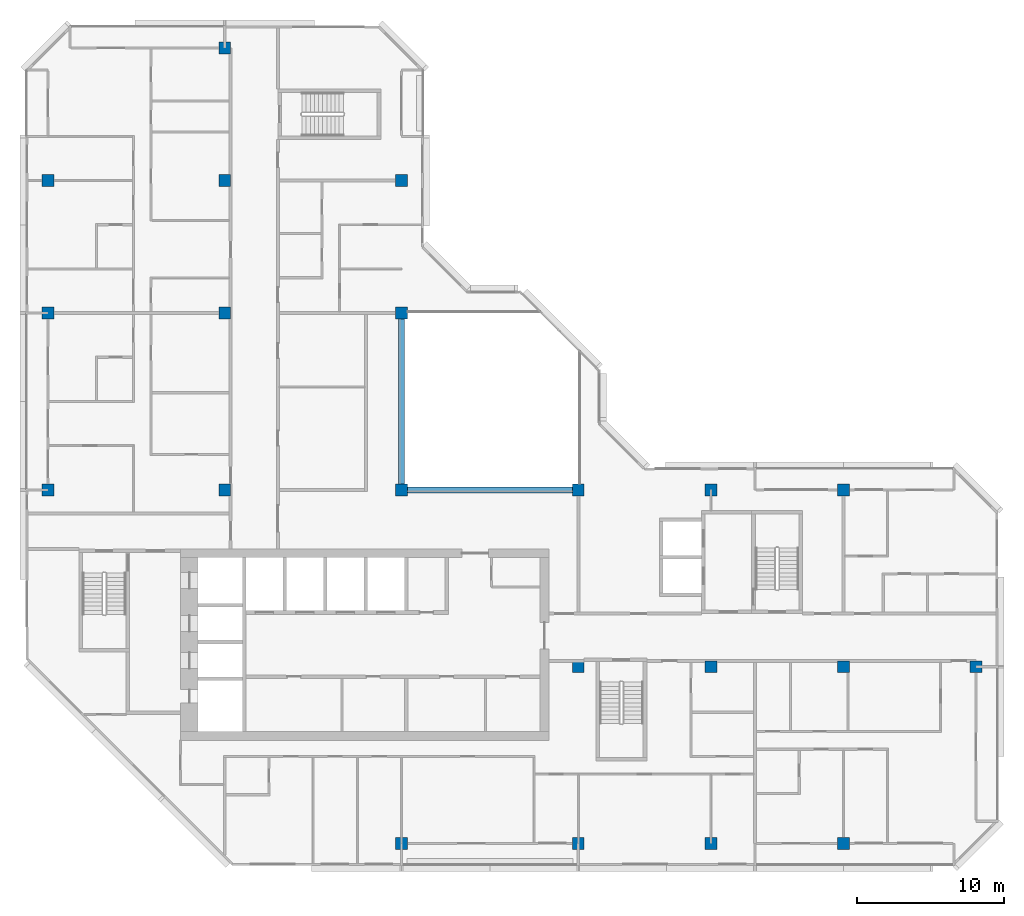
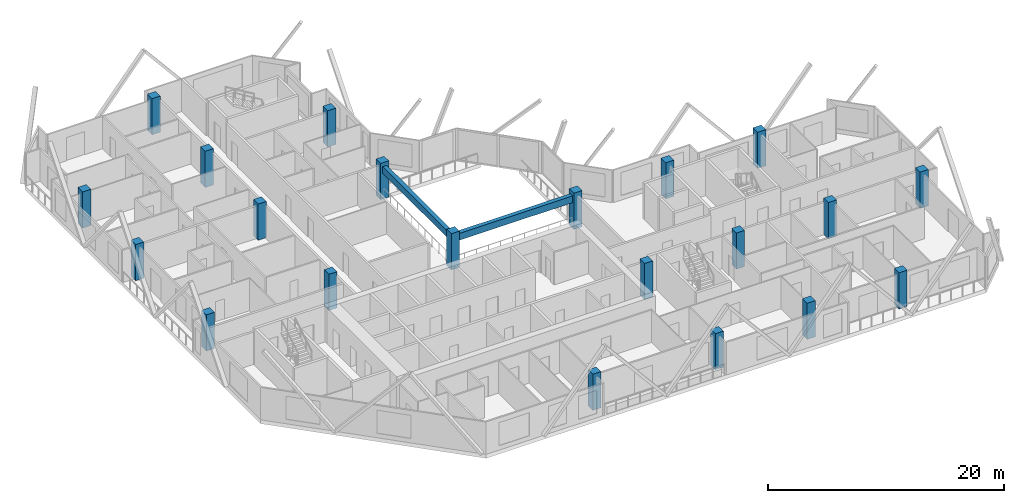
# One storey, part 1 of 13: 21 columns, 2 beams.
"""IFC4 building model written with IfcOpenShell, lengths in metres."""

from ifc_helpers import new_model, si_unit, direction, frame, origin, origin_2d, place, context, subcontext, project, spatial, rectangle, extrude, material, material_profile, profile_set, type_object, element, save


model = new_model("IFC4")

# Units and contexts
model_context = context("Model", 3, precision=1e-05, world=origin(), true_north=direction((0.0, 1.0)))
body_context = subcontext(model_context, "Body", "Model", "MODEL_VIEW")
ifc_project = project(units=[si_unit("LENGTHUNIT", "METRE"), si_unit("AREAUNIT", "SQUARE_METRE"), si_unit("VOLUMEUNIT", "CUBIC_METRE"), si_unit("PLANEANGLEUNIT", "RADIAN"), si_unit("MASSUNIT", "GRAM", prefix="KILO")], contexts=[model_context])

# Site, building, storey
site_placement = place(None, origin())
site = spatial("IfcSite", under=ifc_project, at=site_placement, CompositionType="ELEMENT")
building_placement = place(site_placement, origin())
building = spatial("IfcBuilding", under=site, at=building_placement, Name="Chenar Terraces", CompositionType="ELEMENT")
storey_placement = place(building_placement, frame((0.0, 0.0, 303.39990234375)))
storey = spatial("IfcBuildingStorey", under=building, at=storey_placement, Name="L71", CompositionType="ELEMENT", Elevation=303.39990234375)

# Columns
ifc_material_1 = material(Name="Concrete C50/60", Category="concrete")
ifc_material_profile_1 = material_profile(ifc_material_1, rectangle(XDim=0.800048828125, YDim=0.800048828125, at=origin_2d()), Name="C 800 x 800")
ifc_profile_set_1 = profile_set([ifc_material_profile_1], Name="Concrete C50/60")
column_type = type_object("IfcColumnType", Name="Column C 800 x 800 Concrete C50/60", PredefinedType="COLUMN", material=ifc_profile_set_1)
column_1_placement = place(storey_placement, frame((0.0, 24.0, 0.0), z_axis=(0.0, 0.0, 1.0), x_axis=(1.0, 0.0, 0.0)))
element("IfcColumn", 1, at=column_1_placement, inside=storey, type_object=column_type, Name="Column 5/G L71", PredefinedType="COLUMN", context=body_context, shape_type="SweptSolid", body=[
    extrude(rectangle(XDim=0.800048828125, YDim=0.800048828125, at=origin_2d()), origin(), (0.0, 0.0, 1.0), 3.75),
])
column_2_placement = place(storey_placement, frame((0.0, 36.0, 0.0), z_axis=(0.0, 0.0, 1.0), x_axis=(1.0, 0.0, 0.0)))
element("IfcColumn", 2, at=column_2_placement, inside=storey, type_object=column_type, Name="Column 5/H L71", PredefinedType="COLUMN", context=body_context, shape_type="SweptSolid", body=[
    extrude(rectangle(XDim=0.800048828125, YDim=0.800048828125, at=origin_2d()), origin(), (0.0, 0.0, 1.0), 3.75),
])
for number, where, z_axis, x_axis, name in (
    (3, (0.0, 45.0, 0.0), (0.0, 0.0, 1.0), (1.0, 0.0, 0.0), "Column 5/J L71"),
    (4, (12.0, 24.0, 0.0), (0.0, 0.0, 1.0), (1.0, 0.0, 0.0), "Column 6/G L71"),
    (5, (12.0, 36.0, 0.0), (0.0, 0.0, 1.0), (1.0, 0.0, 0.0), "Column 6/H L71"),
    (6, (12.0, 45.0, 0.0), (0.0, 0.0, 1.0), (1.0, 0.0, 0.0), "Column 6/J L71"),
    (7, (12.0, 54.0, 0.0), (0.0, 0.0, 1.0), (1.0, 0.0, 0.0), "Column 6/K L71"),
    (8, (24.0, 0.0, 0.0), (0.0, 0.0, 1.0), (1.0, 0.0, 0.0), "Column 7/E L71"),
    (9, (24.0, 24.0, 0.0), (0.0, 0.0, 1.0), (1.0, 0.0, 0.0), "Column 7/G L71"),
    (10, (24.0, 36.0, 0.0), (0.0, 0.0, 1.0), (1.0, 0.0, 0.0), "Column 7/H L71"),
    (11, (24.0, 45.0, 0.0), (0.0, 0.0, 1.0), (1.0, 0.0, 0.0), "Column 7/J L71"),
    (12, (36.0, 0.0, 0.0), (0.0, 0.0, 1.0), (1.0, 0.0, 0.0), "Column 8/E L71"),
    (13, (36.0, 12.0, 0.0), (0.0, 0.0, 1.0), (1.0, 0.0, 0.0), "Column 8/F L71"),
    (14, (36.0, 24.0, 0.0), (0.0, 0.0, 1.0), (1.0, 0.0, 0.0), "Column 8/G L71"),
    (15, (45.0, 0.0, 0.0), (0.0, 0.0, 1.0), (1.0, 0.0, 0.0), "Column 9/E L71"),
    (16, (45.0, 12.0, 0.0), (0.0, 0.0, 1.0), (1.0, 0.0, 0.0), "Column 9/F L71"),
    (17, (45.0, 24.0, 0.0), (0.0, 0.0, 1.0), (1.0, 0.0, 0.0), "Column 9/G L71"),
    (18, (54.0, 0.0, 0.0), (0.0, 0.0, 1.0), (1.0, 0.0, 0.0), "Column 10/E L71"),
    (19, (54.0, 12.0, 0.0), (0.0, 0.0, 1.0), (1.0, 0.0, 0.0), "Column 10/F L71"),
    (20, (54.0, 24.0, 0.0), (0.0, 0.0, 1.0), (1.0, 0.0, 0.0), "Column 10/G L71"),
    (21, (63.0, 12.0, 0.0), (0.0, 0.0, 1.0), (1.0, 0.0, 0.0), "Column 11/F L71"),
):
    element("IfcColumn", number, at=place(storey_placement, frame(where, z_axis=z_axis, x_axis=x_axis)), inside=storey, type_object=column_type, Name=name, PredefinedType="COLUMN", context=body_context, shape_type="SweptSolid", body=[
        extrude(rectangle(XDim=0.800048828125, YDim=0.800048828125, at=origin_2d()), origin(), (0.0, 0.0, 1.0), 3.75),
    ])

# Beams
ifc_material_2 = material(Name="Concrete C40/50", Category="concrete")
ifc_material_profile_2 = material_profile(ifc_material_2, rectangle(XDim=0.39990234375, YDim=0.699951171875, at=origin_2d()), Name="RC 400 x 700")
ifc_profile_set_2 = profile_set([ifc_material_profile_2], Name="Concrete C40/50")
beam_type = type_object("IfcBeamType", Name="Atrium edge beam 400 x 700 Concrete C40/50", PredefinedType="BEAM", material=ifc_profile_set_2)
for number, where, z_axis, x_axis, name in (
    (22, (24.39990234375, 24.0, 3.0), (1.0, 0.0, 0.0), (0.0, 1.0, 0.0), "Atrium edge beam L72 1"),
    (23, (24.0, 35.60009765625, 3.0), (0.0, -1.0, 0.0), (1.0, 0.0, 0.0), "Atrium edge beam L72 4"),
):
    element("IfcBeam", number, at=place(storey_placement, frame(where, z_axis=z_axis, x_axis=x_axis)), inside=storey, type_object=beam_type, Name=name, PredefinedType="BEAM", context=body_context, shape_type="SweptSolid", body=[
        extrude(rectangle(XDim=0.39990234375, YDim=0.699951171875, at=origin_2d()), origin(), (0.0, 0.0, 1.0), 11.2001953125),
    ])

save(model, "model.ifc")
